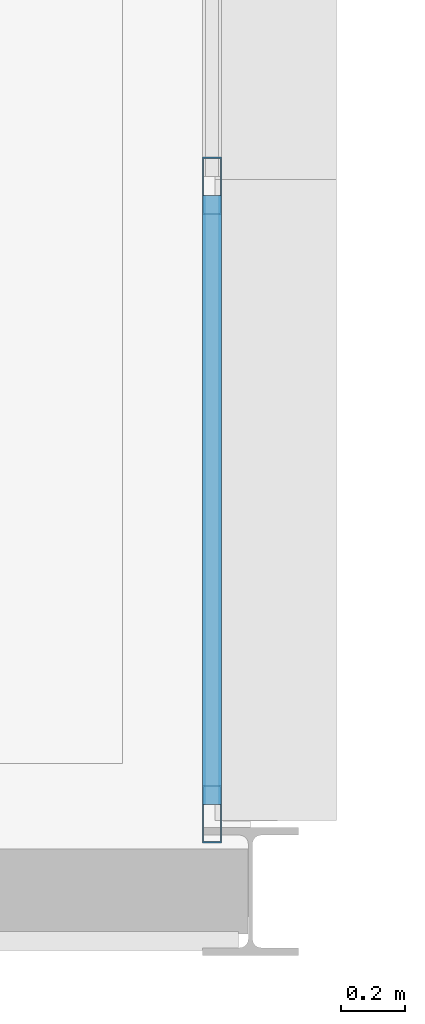
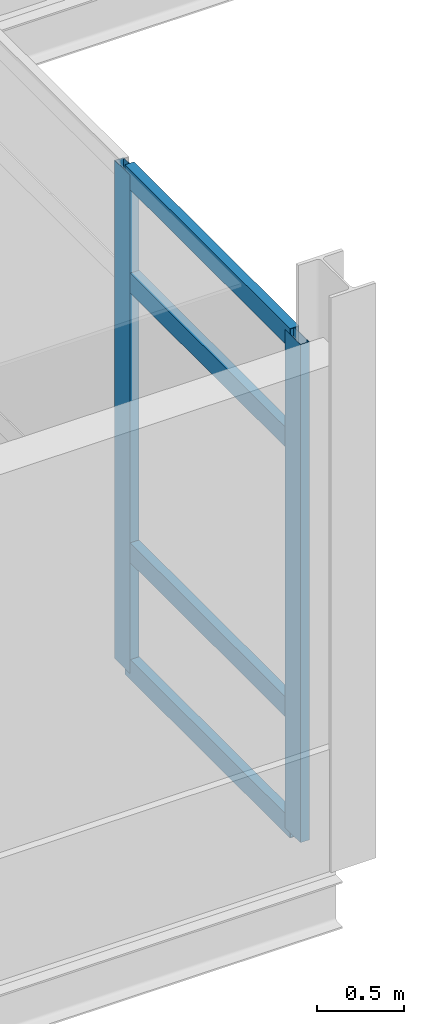
# One storey, part 24 of 103: 6 members, 1 element without a shape of its own.
"""IFC4 building model written with IfcOpenShell, lengths in metres."""

from ifc_helpers import new_model, si_unit, direction, frame, origin, origin_2d, place, context, subcontext, project, spatial, hollow_rectangle, extrude, material, material_profile, profile_set, type_object, element, aggregate, save


model = new_model("IFC4")

# Units and contexts
model_context = context("Model", 3, precision=1e-05, world=origin(), true_north=direction((0.0, 1.0)))
body_context = subcontext(model_context, "Body", "Model", "MODEL_VIEW")
ifc_project = project(units=[si_unit("LENGTHUNIT", "METRE"), si_unit("AREAUNIT", "SQUARE_METRE"), si_unit("VOLUMEUNIT", "CUBIC_METRE"), si_unit("PLANEANGLEUNIT", "RADIAN"), si_unit("MASSUNIT", "GRAM", prefix="KILO")], contexts=[model_context])

# Site, building, storey
site_placement = place(None, origin())
site = spatial("IfcSite", under=ifc_project, at=site_placement, CompositionType="ELEMENT")
building_placement = place(site_placement, origin())
building = spatial("IfcBuilding", under=site, at=building_placement, Name="Mersafa Astral City Hall", CompositionType="ELEMENT")
storey_placement = place(building_placement, frame((0.0, 0.0, 18.0)))
storey = spatial("IfcBuildingStorey", under=building, at=storey_placement, Name="L04", CompositionType="ELEMENT", Elevation=18.0)

# Curtain wall, members
ifc_material = material(Name="Anodised bronze aluminium framing", Category="aluminium")
curtain_wall_type = type_object("IfcCurtainWallType", Name="ENV-CW-6", PredefinedType="USERDEFINED", material=ifc_material)
curtain_wall_placement = place(storey_placement, origin())
curtain_wall = element("IfcCurtainWall", 1, at=curtain_wall_placement, inside=storey, type_object=curtain_wall_type, Name="L04 Unitised solar curtain wall 203", ObjectType="UNITISED CURTAIN WALL", PredefinedType="USERDEFINED")
ifc_material_profile_1 = material_profile(ifc_material, hollow_rectangle(XDim=0.06005859375, YDim=0.179931640625, WallThickness=0.00390625, at=origin_2d()), Name="RHS 60x180x4")
ifc_profile_set_1 = profile_set([ifc_material_profile_1], Name="Anodised bronze aluminium framing")
member_type_1 = type_object("IfcMemberType", Name="ENV-CW-MUL-1", PredefinedType="MULLION", material=ifc_profile_set_1)
member_1_placement = place(storey_placement, frame((58.679931640625, 109.44189453125, -0.001953125), z_axis=(0.0, 0.0, 1.0), x_axis=(-1.0, 0.0, 0.0)))
member_1 = element("IfcMember", 2, at=member_1_placement, type_object=member_type_1, Name="CW-6 mullion 1", PredefinedType="MULLION", context=body_context, shape_type="SweptSolid", body=[
    extrude(hollow_rectangle(XDim=0.06005859375, YDim=0.179931640625, WallThickness=0.00390625, at=origin_2d()), origin(), (0.0, 0.0, 1.0), 3.509033203125),
])
member_2_placement = place(storey_placement, frame((58.679931640625, 111.406005859375, -0.001953125), z_axis=(0.0, 0.0, 1.0), x_axis=(-1.0, 0.0, 0.0)))
member_2 = element("IfcMember", 3, at=member_2_placement, type_object=member_type_1, Name="CW-6 mullion 2", PredefinedType="MULLION", context=body_context, shape_type="SweptSolid", body=[
    extrude(hollow_rectangle(XDim=0.06005859375, YDim=0.179931640625, WallThickness=0.00390625, at=origin_2d()), origin(), (0.0, 0.0, 1.0), 3.509033203125),
])
ifc_material_profile_2 = material_profile(ifc_material, hollow_rectangle(XDim=0.06005859375, YDim=0.139892578125, WallThickness=0.00390625, at=origin_2d()), Name="RHS 60x140x4")
ifc_profile_set_2 = profile_set([ifc_material_profile_2], Name="Anodised bronze aluminium framing")
member_type_2 = type_object("IfcMemberType", Name="ENV-CW-TRN-1", PredefinedType="USERDEFINED", material=ifc_profile_set_2)
member_3_placement = place(storey_placement, frame((58.679931640625, 109.471923828125, 0.028076171875), z_axis=(0.0, 1.0, 0.0), x_axis=(-1.0, 0.0, 0.0)))
member_3 = element("IfcMember", 4, at=member_3_placement, type_object=member_type_2, Name="CW-6 transom 1.1", ObjectType="TRANSOM", PredefinedType="USERDEFINED", context=body_context, shape_type="SweptSolid", body=[
    extrude(hollow_rectangle(XDim=0.06005859375, YDim=0.139892578125, WallThickness=0.00390625, at=origin_2d()), origin(), (0.0, 0.0, 1.0), 1.904052734375),
])
member_4_placement = place(storey_placement, frame((58.679931640625, 109.471923828125, 0.85009765625), z_axis=(0.0, 1.0, 0.0), x_axis=(-1.0, 0.0, 0.0)))
member_4 = element("IfcMember", 5, at=member_4_placement, type_object=member_type_2, Name="CW-6 transom 1.2", ObjectType="TRANSOM", PredefinedType="USERDEFINED", context=body_context, shape_type="SweptSolid", body=[
    extrude(hollow_rectangle(XDim=0.06005859375, YDim=0.139892578125, WallThickness=0.00390625, at=origin_2d()), origin(), (0.0, 0.0, 1.0), 1.904052734375),
])
member_5_placement = place(storey_placement, frame((58.679931640625, 109.471923828125, 2.75), z_axis=(0.0, 1.0, 0.0), x_axis=(-1.0, 0.0, 0.0)))
member_5 = element("IfcMember", 6, at=member_5_placement, type_object=member_type_2, Name="CW-6 transom 1.3", ObjectType="TRANSOM", PredefinedType="USERDEFINED", context=body_context, shape_type="SweptSolid", body=[
    extrude(hollow_rectangle(XDim=0.06005859375, YDim=0.139892578125, WallThickness=0.00390625, at=origin_2d()), origin(), (0.0, 0.0, 1.0), 1.904052734375),
])
member_6_placement = place(storey_placement, frame((58.679931640625, 109.471923828125, 3.47705078125), z_axis=(0.0, 1.0, 0.0), x_axis=(-1.0, 0.0, 0.0)))
member_6 = element("IfcMember", 7, at=member_6_placement, type_object=member_type_2, Name="CW-6 transom 1.4", ObjectType="TRANSOM", PredefinedType="USERDEFINED", context=body_context, shape_type="SweptSolid", body=[
    extrude(hollow_rectangle(XDim=0.06005859375, YDim=0.139892578125, WallThickness=0.00390625, at=origin_2d()), origin(), (0.0, 0.0, 1.0), 1.904052734375),
])
aggregate(curtain_wall, [member_1, member_2, member_3, member_4, member_5, member_6])

save(model, "model.ifc")
